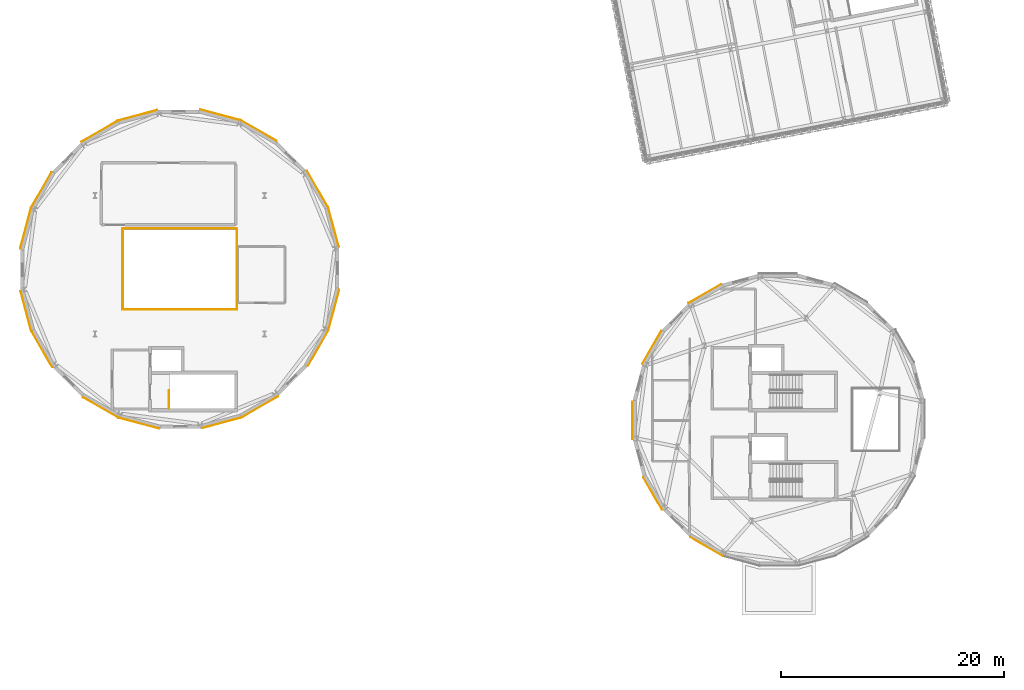
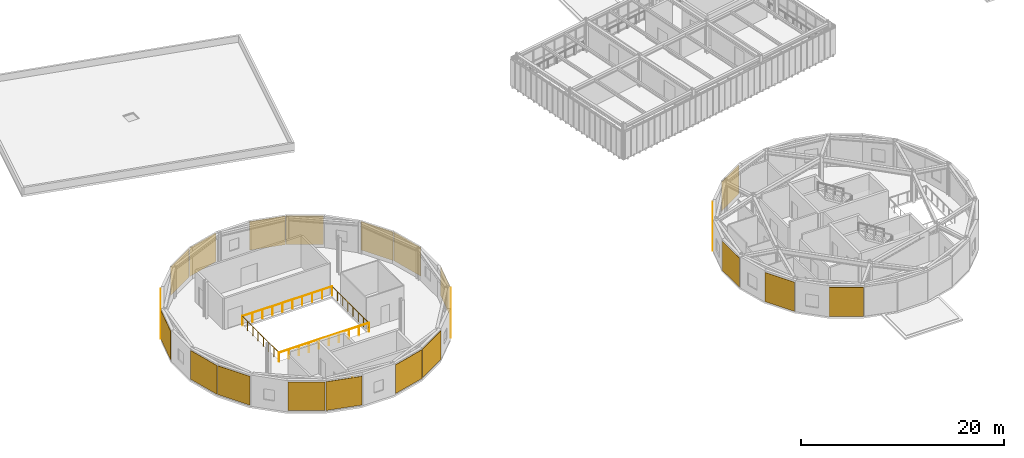
# One storey, part 37 of 44: 21 coverings, 5 railings.
"""IFC4 building model written with IfcOpenShell, lengths in metres."""

from ifc_helpers import new_model, si_unit, direction, frame, origin, origin_2d, place, context, subcontext, project, spatial, rectangle, circle, extrude, material, layer, layer_set, type_object, element, save


model = new_model("IFC4")

# Units and contexts
model_context = context("Model", 3, precision=1e-05, world=origin(), true_north=direction((0.0, 1.0)))
body_context = subcontext(model_context, "Body", "Model", "MODEL_VIEW")
ifc_project = project(units=[si_unit("LENGTHUNIT", "METRE"), si_unit("AREAUNIT", "SQUARE_METRE"), si_unit("VOLUMEUNIT", "CUBIC_METRE"), si_unit("PLANEANGLEUNIT", "RADIAN"), si_unit("MASSUNIT", "GRAM", prefix="KILO")], contexts=[model_context])

# Site, building, storey
site_placement = place(None, origin())
site = spatial("IfcSite", under=ifc_project, at=site_placement, CompositionType="ELEMENT")
building_placement = place(site_placement, origin())
building = spatial("IfcBuilding", under=site, at=building_placement, Name="Varnklinge Art Gallery", CompositionType="ELEMENT")
storey_placement = place(building_placement, frame((0.0, 0.0, 13.679931640625)))
storey = spatial("IfcBuildingStorey", under=building, at=storey_placement, Name="L03", CompositionType="ELEMENT", Elevation=13.679931640625)

# Railings
ifc_material_1 = material(Name="Anodised Aluminium", Category="aluminium")
railing_type_1 = type_object("IfcRailingType", Name="BAL-01", PredefinedType="BALUSTRADE", material=ifc_material_1)
railing_1_placement = place(storey_placement, frame((26.919921875, 48.3798828125, 0.0)))
element("IfcRailing", 1, at=railing_1_placement, inside=storey, type_object=railing_type_1, Name="L03 Atrium Void Balustrade 5.1", PredefinedType="BALUSTRADE", context=body_context, shape_type="SweptSolid", body=[
    extrude(circle(Radius=0.02392578125, at=origin_2d()), frame((0.0, 0.0, 1.11572265625), z_axis=(0.0, 1.0, 0.0), x_axis=(-1.0, 0.0, 0.0)), (0.0, 0.0, 1.0), 7.240234375),
    extrude(circle(Radius=0.02099609375, at=origin_2d()), origin(), (0.0, 0.0, 1.0), 1.091796875),
    extrude(circle(Radius=0.02099609375, at=origin_2d()), frame((0.0, 1.034423828125, 0.0)), (0.0, 0.0, 1.0), 1.091796875),
    extrude(circle(Radius=0.02099609375, at=origin_2d()), frame((0.0, 2.068603515625, 0.0)), (0.0, 0.0, 1.0), 1.091796875),
    extrude(circle(Radius=0.02099609375, at=origin_2d()), frame((0.0, 3.10302734375, 0.0)), (0.0, 0.0, 1.0), 1.091796875),
    extrude(circle(Radius=0.02099609375, at=origin_2d()), frame((0.0, 4.13720703125, 0.0)), (0.0, 0.0, 1.0), 1.091796875),
    extrude(circle(Radius=0.02099609375, at=origin_2d()), frame((0.0, 5.171630859375, 0.0)), (0.0, 0.0, 1.0), 1.091796875),
    extrude(circle(Radius=0.02099609375, at=origin_2d()), frame((0.0, 6.205810546875, 0.0)), (0.0, 0.0, 1.0), 1.091796875),
    extrude(circle(Radius=0.02099609375, at=origin_2d()), frame((0.0, 7.240234375, 0.0)), (0.0, 0.0, 1.0), 1.091796875),
])
railing_2_placement = place(storey_placement, frame((26.919921875, 55.6201171875, 0.0)))
element("IfcRailing", 2, at=railing_2_placement, inside=storey, type_object=railing_type_1, Name="L03 Atrium Void Balustrade 5.2", PredefinedType="BALUSTRADE", context=body_context, shape_type="SweptSolid", body=[
    extrude(circle(Radius=0.02392578125, at=origin_2d()), frame((0.0, 0.0, 1.11572265625), z_axis=(-1.0, 0.0, 0.0), x_axis=(0.0, -1.0, 0.0)), (0.0, 0.0, 1.0), 10.239990234375),
    extrude(circle(Radius=0.02099609375, at=origin_2d()), origin(), (0.0, 0.0, 1.0), 1.091796875),
    extrude(circle(Radius=0.02099609375, at=origin_2d()), frame((-1.1376953125, 0.0, 0.0)), (0.0, 0.0, 1.0), 1.091796875),
    extrude(circle(Radius=0.02099609375, at=origin_2d()), frame((-2.275634765625, 0.0, 0.0)), (0.0, 0.0, 1.0), 1.091796875),
    extrude(circle(Radius=0.02099609375, at=origin_2d()), frame((-3.413330078125, 0.0, 0.0)), (0.0, 0.0, 1.0), 1.091796875),
    extrude(circle(Radius=0.02099609375, at=origin_2d()), frame((-4.551025390625, 0.0, 0.0)), (0.0, 0.0, 1.0), 1.091796875),
    extrude(circle(Radius=0.02099609375, at=origin_2d()), frame((-5.68896484375, 0.0, 0.0)), (0.0, 0.0, 1.0), 1.091796875),
    extrude(circle(Radius=0.02099609375, at=origin_2d()), frame((-6.82666015625, 0.0, 0.0)), (0.0, 0.0, 1.0), 1.091796875),
    extrude(circle(Radius=0.02099609375, at=origin_2d()), frame((-7.96435546875, 0.0, 0.0)), (0.0, 0.0, 1.0), 1.091796875),
    extrude(circle(Radius=0.02099609375, at=origin_2d()), frame((-9.102294921875, 0.0, 0.0)), (0.0, 0.0, 1.0), 1.091796875),
    extrude(circle(Radius=0.02099609375, at=origin_2d()), frame((-10.239990234375, 0.0, 0.0)), (0.0, 0.0, 1.0), 1.091796875),
])
railing_3_placement = place(storey_placement, frame((16.679931640625, 55.6201171875, 0.0)))
element("IfcRailing", 3, at=railing_3_placement, inside=storey, type_object=railing_type_1, Name="L03 Atrium Void Balustrade 5.3", PredefinedType="BALUSTRADE", context=body_context, shape_type="SweptSolid", body=[
    extrude(circle(Radius=0.02392578125, at=origin_2d()), frame((0.0, 0.0, 1.11572265625), z_axis=(0.0, -1.0, 0.0), x_axis=(1.0, 0.0, 0.0)), (0.0, 0.0, 1.0), 7.240234375),
    extrude(circle(Radius=0.02099609375, at=origin_2d()), origin(), (0.0, 0.0, 1.0), 1.091796875),
    extrude(circle(Radius=0.02099609375, at=origin_2d()), frame((0.0, -1.034423828125, 0.0)), (0.0, 0.0, 1.0), 1.091796875),
    extrude(circle(Radius=0.02099609375, at=origin_2d()), frame((0.0, -2.068603515625, 0.0)), (0.0, 0.0, 1.0), 1.091796875),
    extrude(circle(Radius=0.02099609375, at=origin_2d()), frame((0.0, -3.10302734375, 0.0)), (0.0, 0.0, 1.0), 1.091796875),
    extrude(circle(Radius=0.02099609375, at=origin_2d()), frame((0.0, -4.13720703125, 0.0)), (0.0, 0.0, 1.0), 1.091796875),
    extrude(circle(Radius=0.02099609375, at=origin_2d()), frame((0.0, -5.171630859375, 0.0)), (0.0, 0.0, 1.0), 1.091796875),
    extrude(circle(Radius=0.02099609375, at=origin_2d()), frame((0.0, -6.205810546875, 0.0)), (0.0, 0.0, 1.0), 1.091796875),
    extrude(circle(Radius=0.02099609375, at=origin_2d()), frame((0.0, -7.240234375, 0.0)), (0.0, 0.0, 1.0), 1.091796875),
])
railing_4_placement = place(storey_placement, frame((16.679931640625, 48.3798828125, 0.0)))
element("IfcRailing", 4, at=railing_4_placement, inside=storey, type_object=railing_type_1, Name="L03 Atrium Void Balustrade 5.4", PredefinedType="BALUSTRADE", context=body_context, shape_type="SweptSolid", body=[
    extrude(circle(Radius=0.02392578125, at=origin_2d()), frame((0.0, 0.0, 1.11572265625), z_axis=(1.0, 0.0, 0.0), x_axis=(0.0, 1.0, 0.0)), (0.0, 0.0, 1.0), 10.239990234375),
    extrude(circle(Radius=0.02099609375, at=origin_2d()), origin(), (0.0, 0.0, 1.0), 1.091796875),
    extrude(circle(Radius=0.02099609375, at=origin_2d()), frame((1.1376953125, 0.0, 0.0)), (0.0, 0.0, 1.0), 1.091796875),
    extrude(circle(Radius=0.02099609375, at=origin_2d()), frame((2.275634765625, 0.0, 0.0)), (0.0, 0.0, 1.0), 1.091796875),
    extrude(circle(Radius=0.02099609375, at=origin_2d()), frame((3.413330078125, 0.0, 0.0)), (0.0, 0.0, 1.0), 1.091796875),
    extrude(circle(Radius=0.02099609375, at=origin_2d()), frame((4.551025390625, 0.0, 0.0)), (0.0, 0.0, 1.0), 1.091796875),
    extrude(circle(Radius=0.02099609375, at=origin_2d()), frame((5.68896484375, 0.0, 0.0)), (0.0, 0.0, 1.0), 1.091796875),
    extrude(circle(Radius=0.02099609375, at=origin_2d()), frame((6.82666015625, 0.0, 0.0)), (0.0, 0.0, 1.0), 1.091796875),
    extrude(circle(Radius=0.02099609375, at=origin_2d()), frame((7.96435546875, 0.0, 0.0)), (0.0, 0.0, 1.0), 1.091796875),
    extrude(circle(Radius=0.02099609375, at=origin_2d()), frame((9.102294921875, 0.0, 0.0)), (0.0, 0.0, 1.0), 1.091796875),
    extrude(circle(Radius=0.02099609375, at=origin_2d()), frame((10.239990234375, 0.0, 0.0)), (0.0, 0.0, 1.0), 1.091796875),
])

# Coverings
ifc_material_2 = material(Name="Oxide Terracotta Panel", Category="masonry")
ifc_layer_1 = layer(ifc_material_2, 0.034912109375)
ifc_layer_set_1 = layer_set([ifc_layer_1], Name="Oxide Terracotta Panel")
covering_type_1 = type_object("IfcCoveringType", Name="CLD-TER", PredefinedType="CLADDING", material=ifc_layer_set_1)
covering_1_placement = place(storey_placement, frame((35.6279296875, 48.377685546875, 0.150146484375), z_axis=(0.0, 0.0, 1.0), x_axis=(-0.258819045103, -0.965925826289, 0.0)))
element("IfcCovering", 5, at=covering_1_placement, inside=storey, type_object=covering_type_1, Name="L03 Oxide Terracotta Drum Cladding EW-V3-L03-02", PredefinedType="CLADDING", context=body_context, shape_type="SweptSolid", body=[
    extrude(rectangle(XDim=3.677001953125, YDim=0.034912109375, at=origin_2d()), origin(), (0.0, 0.0, 1.0), 3.4599609375),
])
for number, where, z_axis, x_axis, name in (
    (6, (34.21923828125, 44.922119140625, 0.150146484375), (0.0, 0.0, 1.0), (-0.5, -0.866025403784, 0.0), "L03 Oxide Terracotta Drum Cladding EW-V3-L03-03"),
    (7, (29.016357421875, 39.66064453125, 0.150146484375), (0.0, 0.0, 1.0), (-0.866025403784, -0.5, 0.0), "L03 Oxide Terracotta Drum Cladding EW-V3-L03-05"),
):
    element("IfcCovering", number, at=place(storey_placement, frame(where, z_axis=z_axis, x_axis=x_axis)), inside=storey, type_object=covering_type_1, Name=name, PredefinedType="CLADDING", context=body_context, shape_type="SweptSolid", body=[
        extrude(rectangle(XDim=3.67724609375, YDim=0.034912109375, at=origin_2d()), origin(), (0.0, 0.0, 1.0), 3.4599609375),
    ])
for number, where, z_axis, x_axis, name in (
    (8, (25.576904296875, 38.21337890625, 0.150146484375), (0.0, 0.0, 1.0), (-0.965925826289, -0.258819045103, 0.0), "L03 Oxide Terracotta Drum Cladding EW-V3-L03-06"),
    (9, (18.177734375, 38.172119140625, 0.150146484375), (0.0, 0.0, 1.0), (-0.965925826289, 0.258819045103, 0.0), "L03 Oxide Terracotta Drum Cladding EW-V3-L03-08"),
):
    element("IfcCovering", number, at=place(storey_placement, frame(where, z_axis=z_axis, x_axis=x_axis)), inside=storey, type_object=covering_type_1, Name=name, PredefinedType="CLADDING", context=body_context, shape_type="SweptSolid", body=[
        extrude(rectangle(XDim=3.677001953125, YDim=0.034912109375, at=origin_2d()), origin(), (0.0, 0.0, 1.0), 3.4599609375),
    ])
for number, where, z_axis, x_axis, name in (
    (10, (14.72216796875, 39.580810546875, 0.150146484375), (0.0, 0.0, 1.0), (-0.866025403784, 0.5, 0.0), "L03 Oxide Terracotta Drum Cladding EW-V3-L03-09"),
    (11, (9.460693359375, 44.78369140625, 0.150146484375), (0.0, 0.0, 1.0), (-0.5, 0.866025403784, 0.0), "L03 Oxide Terracotta Drum Cladding EW-V3-L03-11"),
):
    element("IfcCovering", number, at=place(storey_placement, frame(where, z_axis=z_axis, x_axis=x_axis)), inside=storey, type_object=covering_type_1, Name=name, PredefinedType="CLADDING", context=body_context, shape_type="SweptSolid", body=[
        extrude(rectangle(XDim=3.67724609375, YDim=0.034912109375, at=origin_2d()), origin(), (0.0, 0.0, 1.0), 3.4599609375),
    ])
for number, where, z_axis, x_axis, name in (
    (12, (8.013427734375, 48.22314453125, 0.150146484375), (0.0, 0.0, 1.0), (-0.258819045103, 0.965925826289, 0.0), "L03 Oxide Terracotta Drum Cladding EW-V3-L03-12"),
    (13, (7.971923828125, 55.622314453125, 0.150146484375), (0.0, 0.0, 1.0), (0.258819045103, 0.965925826289, 0.0), "L03 Oxide Terracotta Drum Cladding EW-V3-L03-14"),
):
    element("IfcCovering", number, at=place(storey_placement, frame(where, z_axis=z_axis, x_axis=x_axis)), inside=storey, type_object=covering_type_1, Name=name, PredefinedType="CLADDING", context=body_context, shape_type="SweptSolid", body=[
        extrude(rectangle(XDim=3.677001953125, YDim=0.034912109375, at=origin_2d()), origin(), (0.0, 0.0, 1.0), 3.4599609375),
    ])
for number, where, z_axis, x_axis, name in (
    (14, (9.380615234375, 59.077880859375, 0.150146484375), (0.0, 0.0, 1.0), (0.5, 0.866025403784, 0.0), "L03 Oxide Terracotta Drum Cladding EW-V3-L03-15"),
    (15, (14.58349609375, 64.33935546875, 0.150146484375), (0.0, 0.0, 1.0), (0.866025403784, 0.5, 0.0), "L03 Oxide Terracotta Drum Cladding EW-V3-L03-17"),
):
    element("IfcCovering", number, at=place(storey_placement, frame(where, z_axis=z_axis, x_axis=x_axis)), inside=storey, type_object=covering_type_1, Name=name, PredefinedType="CLADDING", context=body_context, shape_type="SweptSolid", body=[
        extrude(rectangle(XDim=3.67724609375, YDim=0.034912109375, at=origin_2d()), origin(), (0.0, 0.0, 1.0), 3.4599609375),
    ])
for number, where, z_axis, x_axis, name in (
    (16, (18.023193359375, 65.78662109375, 0.150146484375), (0.0, 0.0, 1.0), (0.965925826289, 0.258819045103, 0.0), "L03 Oxide Terracotta Drum Cladding EW-V3-L03-18"),
    (17, (25.42236328125, 65.827880859375, 0.150146484375), (0.0, 0.0, 1.0), (0.965925826289, -0.258819045103, 0.0), "L03 Oxide Terracotta Drum Cladding EW-V3-L03-20"),
):
    element("IfcCovering", number, at=place(storey_placement, frame(where, z_axis=z_axis, x_axis=x_axis)), inside=storey, type_object=covering_type_1, Name=name, PredefinedType="CLADDING", context=body_context, shape_type="SweptSolid", body=[
        extrude(rectangle(XDim=3.677001953125, YDim=0.034912109375, at=origin_2d()), origin(), (0.0, 0.0, 1.0), 3.4599609375),
    ])
for number, where, z_axis, x_axis, name in (
    (18, (28.877685546875, 64.419189453125, 0.150146484375), (0.0, 0.0, 1.0), (0.866025403784, -0.5, 0.0), "L03 Oxide Terracotta Drum Cladding EW-V3-L03-21"),
    (19, (34.139404296875, 59.21630859375, 0.150146484375), (0.0, 0.0, 1.0), (0.5, -0.866025403784, 0.0), "L03 Oxide Terracotta Drum Cladding EW-V3-L03-23"),
):
    element("IfcCovering", number, at=place(storey_placement, frame(where, z_axis=z_axis, x_axis=x_axis)), inside=storey, type_object=covering_type_1, Name=name, PredefinedType="CLADDING", context=body_context, shape_type="SweptSolid", body=[
        extrude(rectangle(XDim=3.67724609375, YDim=0.034912109375, at=origin_2d()), origin(), (0.0, 0.0, 1.0), 3.4599609375),
    ])
covering_2_placement = place(storey_placement, frame((35.586669921875, 55.77685546875, 0.150146484375), z_axis=(0.0, 0.0, 1.0), x_axis=(0.258819045103, -0.965925826289, 0.0)))
element("IfcCovering", 20, at=covering_2_placement, inside=storey, type_object=covering_type_1, Name="L03 Oxide Terracotta Drum Cladding EW-V3-L03-24", PredefinedType="CLADDING", context=body_context, shape_type="SweptSolid", body=[
    extrude(rectangle(XDim=3.677001953125, YDim=0.034912109375, at=origin_2d()), origin(), (0.0, 0.0, 1.0), 3.4599609375),
])
ifc_material_3 = material(Name="Pre-weathered Zinc", Category="metal")
ifc_layer_2 = layer(ifc_material_3, 0.02490234375)
ifc_layer_set_2 = layer_set([ifc_layer_2], Name="Pre-weathered Zinc")
covering_type_2 = type_object("IfcCoveringType", Name="CLD-ZNC", PredefinedType="CLADDING", material=ifc_layer_set_2)
for number, where, z_axis, x_axis, name in (
    (21, (69.01953125, 27.115478515625, 0.0498046875), (0.0, 0.0, 1.0), (-0.866025403784, 0.5, 0.0), "L03 Brushed Zinc Drum Cladding EW-V4D-L03-09"),
    (22, (64.1953125, 31.880859375, 0.0498046875), (0.0, 0.0, 1.0), (-0.5, 0.866025403784, 0.0), "L03 Brushed Zinc Drum Cladding EW-V4D-L03-11"),
):
    element("IfcCovering", number, at=place(storey_placement, frame(where, z_axis=z_axis, x_axis=x_axis)), inside=storey, type_object=covering_type_2, Name=name, PredefinedType="CLADDING", context=body_context, shape_type="SweptSolid", body=[
        extrude(rectangle(XDim=3.3837890625, YDim=0.02490234375, at=origin_2d()), origin(), (0.0, 0.0, 1.0), 3.510009765625),
    ])
covering_3_placement = place(storey_placement, frame((62.400390625, 38.419921875, 0.0498046875), z_axis=(0.0, 0.0, 1.0), x_axis=(0.0, 1.0, 0.0)))
element("IfcCovering", 23, at=covering_3_placement, inside=storey, type_object=covering_type_2, Name="L03 Brushed Zinc Drum Cladding EW-V4D-L03-13", PredefinedType="CLADDING", context=body_context, shape_type="SweptSolid", body=[
    extrude(rectangle(XDim=3.383544921875, YDim=0.02490234375, at=origin_2d()), origin(), (0.0, 0.0, 1.0), 3.510009765625),
])
for number, where, z_axis, x_axis, name in (
    (24, (64.115478515625, 44.98046875, 0.0498046875), (0.0, 0.0, 1.0), (0.5, 0.866025403784, 0.0), "L03 Brushed Zinc Drum Cladding EW-V4D-L03-15"),
    (25, (68.880859375, 49.8046875, 0.0498046875), (0.0, 0.0, 1.0), (0.866025403784, 0.5, 0.0), "L03 Brushed Zinc Drum Cladding EW-V4D-L03-17"),
):
    element("IfcCovering", number, at=place(storey_placement, frame(where, z_axis=z_axis, x_axis=x_axis)), inside=storey, type_object=covering_type_2, Name=name, PredefinedType="CLADDING", context=body_context, shape_type="SweptSolid", body=[
        extrude(rectangle(XDim=3.3837890625, YDim=0.02490234375, at=origin_2d()), origin(), (0.0, 0.0, 1.0), 3.510009765625),
    ])

# Railing
ifc_material_4 = material(Name="Steel S355", Category="steel")
railing_type_2 = type_object("IfcRailingType", Name="GR-INT", PredefinedType="GUARDRAIL", material=ifc_material_4)
railing_5_placement = place(storey_placement, frame((20.85009765625, 39.5, 0.0)))
element("IfcRailing", 26, at=railing_5_placement, inside=storey, type_object=railing_type_2, Name="L03 ST-06 top well guard 1", PredefinedType="GUARDRAIL", context=body_context, shape_type="SweptSolid", body=[
    extrude(circle(Radius=0.02392578125, at=origin_2d()), frame((0.0, 0.0, 1.076171875), z_axis=(0.0, 1.0, 0.0), x_axis=(-1.0, 0.0, 0.0)), (0.0, 0.0, 1.0), 1.610107421875),
    extrude(circle(Radius=0.02099609375, at=origin_2d()), origin(), (0.0, 0.0, 1.0), 1.052001953125),
    extrude(circle(Radius=0.02099609375, at=origin_2d()), frame((0.0, 0.80517578125, 0.0)), (0.0, 0.0, 1.0), 1.052001953125),
    extrude(circle(Radius=0.02099609375, at=origin_2d()), frame((0.0, 1.610107421875, 0.0)), (0.0, 0.0, 1.0), 1.052001953125),
])

save(model, "model.ifc")
